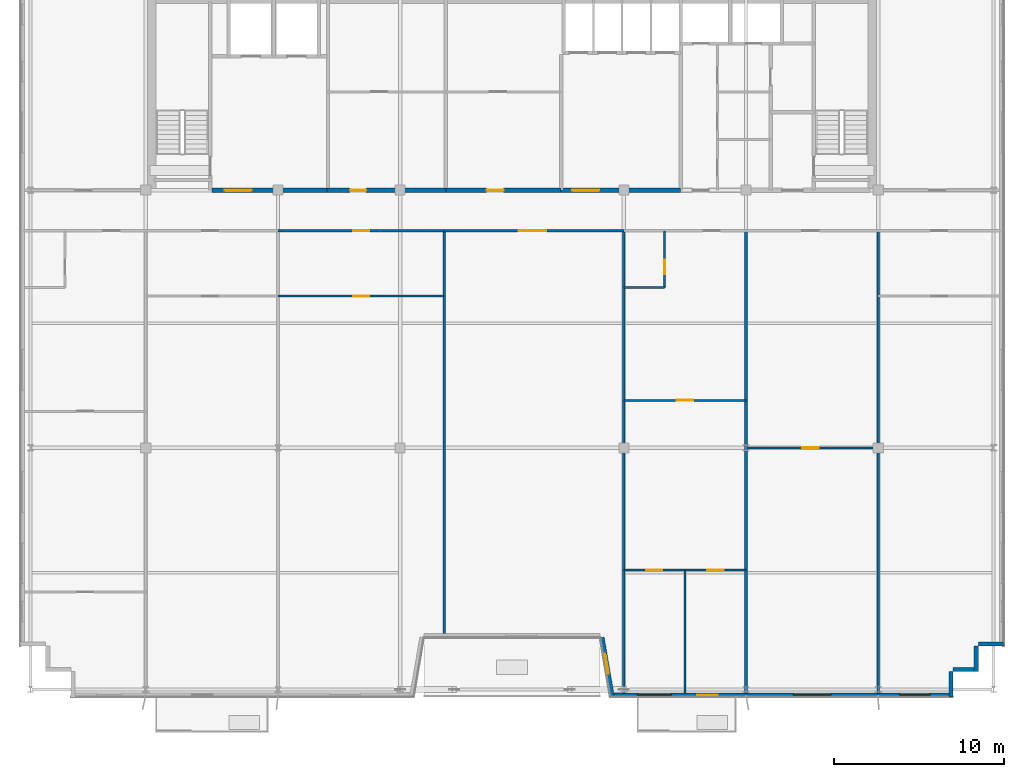
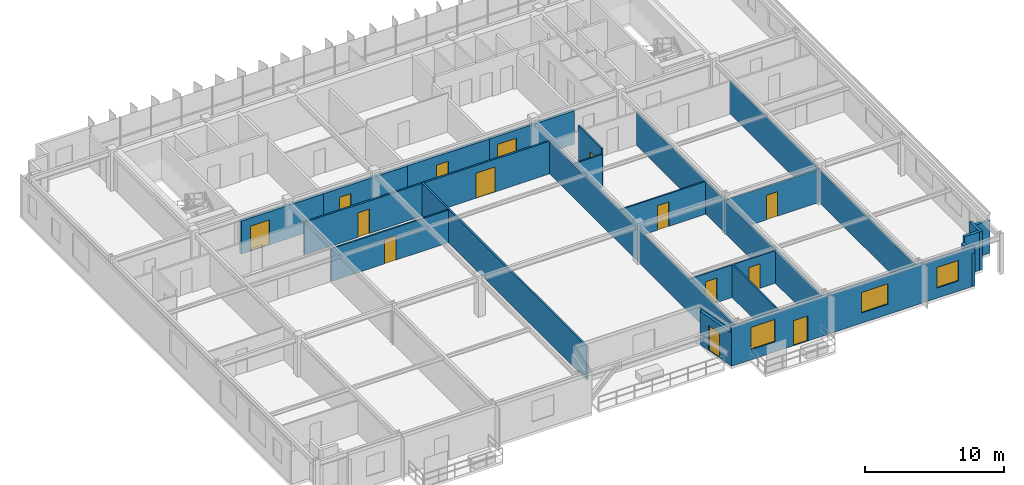
# One storey, part 17 of 22: 24 walls, 14 doors, 3 windows, 17 openings.
"""IFC4 building model written with IfcOpenShell, lengths in metres."""

from ifc_helpers import new_model, si_unit, direction, frame, frame_2d, origin, place, context, subcontext, project, spatial, rectangle, extrude, source, transform, mapped, material, layer, layer_set, type_object, element, fill, save


model = new_model("IFC4")

# Units and contexts
model_context = context("Model", 3, precision=1e-05, world=origin(), true_north=direction((0.0, 1.0)))
body_context = subcontext(model_context, "Body", "Model", "MODEL_VIEW")
ifc_project = project(units=[si_unit("LENGTHUNIT", "METRE"), si_unit("AREAUNIT", "SQUARE_METRE"), si_unit("VOLUMEUNIT", "CUBIC_METRE"), si_unit("PLANEANGLEUNIT", "RADIAN"), si_unit("MASSUNIT", "GRAM", prefix="KILO")], contexts=[model_context])

# Site, building, storey
site_placement = place(None, origin())
site = spatial("IfcSite", under=ifc_project, at=site_placement, CompositionType="ELEMENT")
building_placement = place(site_placement, origin())
building = spatial("IfcBuilding", under=site, at=building_placement, Name="Trelvane Seafront Commons", CompositionType="ELEMENT")
storey_placement = place(building_placement, frame((0.0, 0.0, 288.300048828125)))
storey = spatial("IfcBuildingStorey", under=building, at=storey_placement, Name="L75", CompositionType="ELEMENT", Elevation=288.300048828125)

# Walls
ifc_material_1 = material(Name="Precast concrete C40/50", Category="concrete")
ifc_layer_1 = layer(ifc_material_1, 0.239990234375, Name="ARCH-WALL-EXT240")
ifc_layer_set_1 = layer_set([ifc_layer_1], Name="Precast concrete C40/50")
wall_type_1 = type_object("IfcWallType", Name="ARCH-WALL-EXT240", PredefinedType="SOLIDWALL", material=ifc_layer_set_1)
wall_1_placement = place(storey_placement, frame((66.199951171875, 6.6201171875, 0.0), z_axis=(0.0, 0.0, 1.0), x_axis=(-1.0, 0.0, 0.0)))
element("IfcWall", 1, at=wall_1_placement, inside=storey, type_object=wall_type_1, Name="EW-L75-01523", PredefinedType="SOLIDWALL", context=body_context, shape_type="SweptSolid", body=[
    extrude(rectangle(XDim=1.5, YDim=0.239990234375, at=frame_2d((0.75, 0.0))), origin(), (0.0, 0.0, 1.0), 2.869873046875),
])
for number, where, z_axis, x_axis, name in (
    (2, (64.580078125, 6.5, 0.0), (0.0, 0.0, 1.0), (0.0, -1.0, 0.0), "EW-L75-01524"),
    (3, (64.699951171875, 5.1201171875, 0.0), (0.0, 0.0, 1.0), (-1.0, 0.0, 0.0), "EW-L75-01525"),
):
    element("IfcWall", number, at=place(storey_placement, frame(where, z_axis=z_axis, x_axis=x_axis)), inside=storey, type_object=wall_type_1, Name=name, PredefinedType="SOLIDWALL", context=body_context, shape_type="SweptSolid", body=[
        extrude(rectangle(XDim=1.5, YDim=0.239990234375, at=frame_2d((0.75, 0.0))), origin(), (0.0, 0.0, 1.0), 3.369873046875),
    ])
wall_2_placement = place(storey_placement, frame((63.080078125, 5.0, 0.0), z_axis=(0.0, 0.0, 1.0), x_axis=(0.0, -1.0, 0.0)))
element("IfcWall", 4, at=wall_2_placement, inside=storey, type_object=wall_type_1, Name="EW-L75-01526", PredefinedType="SOLIDWALL", context=body_context, shape_type="SweptSolid", body=[
    extrude(rectangle(XDim=1.5, YDim=0.239990234375, at=frame_2d((0.75, 0.0))), origin(), (0.0, 0.0, 1.0), 2.919921875),
])

# Wall, openings, door, windows
wall_3_placement = place(storey_placement, frame((63.199951171875, 3.6201171875, 0.0), z_axis=(0.0, 0.0, 1.0), x_axis=(-1.0, 0.0, 0.0)))
wall_3 = element("IfcWall", 5, at=wall_3_placement, inside=storey, type_object=wall_type_1, Name="EW-L75-01527", PredefinedType="SOLIDWALL", context=body_context, shape_type="SweptSolid", body=[
    extrude(rectangle(XDim=20.199951171875, YDim=0.239990234375, at=frame_2d((10.10009765625, 0.0))), origin(), (0.0, 0.0, 1.0), 3.369873046875),
])
opening_1_placement = place(wall_3_placement, frame((1.344970703125, 0.0, 0.89990234375)))
opening_1 = element("IfcOpeningElement", 6, at=opening_1_placement, cuts=wall_3, Name="Opening W01", PredefinedType="OPENING", context=body_context, shape_type="SweptSolid", body=[
    extrude(rectangle(XDim=1.800048828125, YDim=1.800048828125, at=frame_2d((0.89990234375, 0.89990234375))), frame((0.0, 0.1298828125, 0.0), z_axis=(0.0, -1.0, 0.0), x_axis=(1.0, 0.0, 0.0)), (0.0, 0.0, 1.0), 0.260009765625),
])
opening_2_placement = place(wall_3_placement, frame((7.199951171875, 0.0, 0.89990234375)))
opening_2 = element("IfcOpeningElement", 7, at=opening_2_placement, cuts=wall_3, Name="Opening W02", PredefinedType="OPENING", context=body_context, shape_type="SweptSolid", body=[
    extrude(rectangle(XDim=2.199951171875, YDim=1.800048828125, at=frame_2d((1.10009765625, 0.89990234375))), frame((0.0, 0.1298828125, 0.0), z_axis=(0.0, -1.0, 0.0), x_axis=(1.0, 0.0, 0.0)), (0.0, 0.0, 1.0), 0.260009765625),
])
opening_3_placement = place(wall_3_placement, frame((13.864013671875, 0.0, 0.0)))
opening_3 = element("IfcOpeningElement", 8, at=opening_3_placement, cuts=wall_3, Name="Opening BD-L75-152", PredefinedType="OPENING", context=body_context, shape_type="SweptSolid", body=[
    extrude(rectangle(XDim=1.199951171875, YDim=2.199951171875, at=frame_2d((0.60009765625, 1.10009765625))), frame((0.0, 0.1298828125, 0.0), z_axis=(0.0, -1.0, 0.0), x_axis=(1.0, 0.0, 0.0)), (0.0, 0.0, 1.0), 0.260009765625),
])
opening_4_placement = place(wall_3_placement, frame((16.60009765625, 0.0, 0.89990234375)))
opening_4 = element("IfcOpeningElement", 9, at=opening_4_placement, cuts=wall_3, Name="Opening W06", PredefinedType="OPENING", context=body_context, shape_type="SweptSolid", body=[
    extrude(rectangle(XDim=2.0, YDim=1.949951171875, at=frame_2d((1.0, 0.97509765625))), frame((0.0, 0.1298828125, 0.0), z_axis=(0.0, -1.0, 0.0), x_axis=(1.0, 0.0, 0.0)), (0.0, 0.0, 1.0), 0.260009765625),
])
ifc_material_2 = material(Name="Powder-coated aluminium frame", Category="aluminium")
door_type_1 = type_object("IfcDoorType", Name="ARCH-DR-BAL1200", OperationType="NOTDEFINED", PredefinedType="DOOR", material=ifc_material_2)
shared_shape_1 = source(origin(), body_context, "Body", "SweptSolid", [
    extrude(rectangle(XDim=1.199951171875, YDim=2.199951171875, at=frame_2d((0.60009765625, 1.10009765625))), frame((0.0, 0.02490234375, 0.0), z_axis=(0.0, -1.0, 0.0), x_axis=(1.0, 0.0, 0.0)), (0.0, 0.0, 1.0), 0.050048828125),
])
door_1_placement = place(opening_3_placement, origin())
door_1 = element("IfcDoor", 10, at=door_1_placement, inside=storey, type_object=door_type_1, Name="L75 Balcony Terrace Access Door", OperationType="SINGLE_SWING_LEFT", OverallHeight=2.199951171875, OverallWidth=1.199951171875, PredefinedType="DOOR", context=body_context, shape_type="MappedRepresentation", body=[
    mapped(shared_shape_1, transform((0.0, 0.0, 0.0), x_axis=(1.0, 0.0, 0.0), y_axis=(0.0, 1.0, 0.0), z_axis=(0.0, 0.0, 1.0), scale=1.0)),
])
fill(opening_3, door_1)
ifc_material_3 = material(Name="Low-E coastal double glazing", Category="glass")
window_type_1 = type_object("IfcWindowType", Name="ARCH-WIN-W02", PartitioningType="SINGLE_PANEL", PredefinedType="WINDOW", material=ifc_material_3)
shared_shape_2 = source(origin(), body_context, "Body", "SweptSolid", [
    extrude(rectangle(XDim=2.199951171875, YDim=1.800048828125, at=frame_2d((1.10009765625, 0.89990234375))), frame((0.0, 0.030029296875, 0.0), z_axis=(0.0, -1.0, 0.0), x_axis=(1.0, 0.0, 0.0)), (0.0, 0.0, 1.0), 0.06005859375),
])
window_1_placement = place(opening_2_placement, origin())
window_1 = element("IfcWindow", 11, at=window_1_placement, inside=storey, type_object=window_type_1, Name="WIN-L75-01812", OverallHeight=1.800048828125, OverallWidth=2.199951171875, PartitioningType="SINGLE_PANEL", PredefinedType="WINDOW", context=body_context, shape_type="MappedRepresentation", body=[
    mapped(shared_shape_2, transform((0.0, 0.0, 0.0), x_axis=(1.0, 0.0, 0.0), y_axis=(0.0, 1.0, 0.0), z_axis=(0.0, 0.0, 1.0), scale=1.0)),
])
fill(opening_2, window_1)
window_type_2 = type_object("IfcWindowType", Name="ARCH-WIN-W06", PartitioningType="SINGLE_PANEL", PredefinedType="WINDOW", material=ifc_material_3)
shared_shape_3 = source(origin(), body_context, "Body", "SweptSolid", [
    extrude(rectangle(XDim=2.0, YDim=1.949951171875, at=frame_2d((1.0, 0.97509765625))), frame((0.0, 0.030029296875, 0.0), z_axis=(0.0, -1.0, 0.0), x_axis=(1.0, 0.0, 0.0)), (0.0, 0.0, 1.0), 0.06005859375),
])
window_2_placement = place(opening_4_placement, origin())
window_2 = element("IfcWindow", 12, at=window_2_placement, inside=storey, type_object=window_type_2, Name="WIN-L75-01813", OverallHeight=1.949951171875, OverallWidth=2.0, PartitioningType="SINGLE_PANEL", PredefinedType="WINDOW", context=body_context, shape_type="MappedRepresentation", body=[
    mapped(shared_shape_3, transform((0.0, 0.0, 0.0), x_axis=(1.0, 0.0, 0.0), y_axis=(0.0, 1.0, 0.0), z_axis=(0.0, 0.0, 1.0), scale=1.0)),
])
fill(opening_4, window_2)
window_type_3 = type_object("IfcWindowType", Name="ARCH-WIN-W01", PartitioningType="SINGLE_PANEL", PredefinedType="WINDOW", material=ifc_material_3)
shared_shape_4 = source(origin(), body_context, "Body", "SweptSolid", [
    extrude(rectangle(XDim=1.800048828125, YDim=1.800048828125, at=frame_2d((0.89990234375, 0.89990234375))), frame((0.0, 0.030029296875, 0.0), z_axis=(0.0, -1.0, 0.0), x_axis=(1.0, 0.0, 0.0)), (0.0, 0.0, 1.0), 0.06005859375),
])
window_3_placement = place(opening_1_placement, origin())
window_3 = element("IfcWindow", 13, at=window_3_placement, inside=storey, type_object=window_type_3, Name="WIN-L75-01811", OverallHeight=1.800048828125, OverallWidth=1.800048828125, PartitioningType="SINGLE_PANEL", PredefinedType="WINDOW", context=body_context, shape_type="MappedRepresentation", body=[
    mapped(shared_shape_4, transform((0.0, 0.0, 0.0), x_axis=(1.0, 0.0, 0.0), y_axis=(0.0, 1.0, 0.0), z_axis=(0.0, 0.0, 1.0), scale=1.0)),
])
fill(opening_1, window_3)

# Wall, opening, door
wall_4_placement = place(storey_placement, frame((43.118408203125, 3.520263671875, 0.0), z_axis=(0.0, 0.0, 1.0), x_axis=(-0.168990530437, 0.98561767467, 0.0)))
wall_4 = element("IfcWall", 14, at=wall_4_placement, inside=storey, type_object=wall_type_1, Name="EW-L75-01528", PredefinedType="SOLIDWALL", context=body_context, shape_type="SweptSolid", body=[
    extrude(rectangle(XDim=3.551025390625, YDim=0.239990234375, at=frame_2d((1.775390625, 0.0))), origin(), (0.0, 0.0, 1.0), 2.919921875),
])
opening_5_placement = place(wall_4_placement, frame((1.3740234375, 0.0, 0.0)))
opening_5 = element("IfcOpeningElement", 15, at=opening_5_placement, cuts=wall_4, Name="Opening TD-L75-153", PredefinedType="OPENING", context=body_context, shape_type="SweptSolid", body=[
    extrude(rectangle(XDim=1.199951171875, YDim=2.199951171875, at=frame_2d((0.60009765625, 1.10009765625))), frame((0.0, 0.1298828125, 0.0), z_axis=(0.0, -1.0, 0.0), x_axis=(1.0, 0.0, 0.0)), (0.0, 0.0, 1.0), 0.260009765625),
])
door_2_placement = place(opening_5_placement, origin())
door_2 = element("IfcDoor", 16, at=door_2_placement, inside=storey, type_object=door_type_1, Name="L75 Setback Terrace Access Door", OperationType="SINGLE_SWING_RIGHT", OverallHeight=2.199951171875, OverallWidth=1.199951171875, PredefinedType="DOOR", context=body_context, shape_type="MappedRepresentation", body=[
    mapped(shared_shape_1, transform((0.0, 0.0, 0.0), x_axis=(1.0, 0.0, 0.0), y_axis=(0.0, 1.0, 0.0), z_axis=(0.0, 0.0, 1.0), scale=1.0)),
])
fill(opening_5, door_2)

ifc_material_4 = material(Name="Concrete C40/50", Category="concrete")
ifc_layer_2 = layer(ifc_material_4, 0.25, Name="ARCH-WALL-FIRE250")
ifc_layer_set_2 = layer_set([ifc_layer_2], Name="Concrete C40/50")
wall_type_2 = type_object("IfcWallType", Name="ARCH-WALL-FIRE250", PredefinedType="PARTITIONING", material=ifc_layer_set_2)
wall_5_placement = place(storey_placement, frame((19.5, 33.39990234375, 0.0), z_axis=(0.0, 0.0, 1.0), x_axis=(1.0, 0.0, 0.0)))
wall_5 = element("IfcWall", 17, at=wall_5_placement, inside=storey, type_object=wall_type_2, Name="W-L75-CS-FFL-013", PredefinedType="PARTITIONING", context=body_context, shape_type="SweptSolid", body=[
    extrude(rectangle(XDim=6.800048828125, YDim=0.25, at=frame_2d((3.39990234375, 0.0))), origin(), (0.0, 0.0, 1.0), 2.919921875),
])
opening_6_placement = place(wall_5_placement, frame((0.75, 0.0, 0.0)))
opening_6 = element("IfcOpeningElement", 18, at=opening_6_placement, cuts=wall_5, Name="Opening FD-L75-05", PredefinedType="OPENING", context=body_context, shape_type="SweptSolid", body=[
    extrude(rectangle(XDim=1.60009765625, YDim=2.199951171875, at=frame_2d((0.800048828125, 1.10009765625))), frame((0.0, 0.135009765625, 0.0), z_axis=(0.0, -1.0, 0.0), x_axis=(1.0, 0.0, 0.0)), (0.0, 0.0, 1.0), 0.27001953125),
])
door_type_2 = type_object("IfcDoorType", Name="ARCH-DR-FD60-1600", OperationType="DOUBLE_DOOR_SINGLE_SWING", PredefinedType="DOOR", material=ifc_material_2)
shared_shape_5 = source(origin(), body_context, "Body", "SweptSolid", [
    extrude(rectangle(XDim=1.60009765625, YDim=2.199951171875, at=frame_2d((0.800048828125, 1.10009765625))), frame((0.0, 0.02490234375, 0.0), z_axis=(0.0, -1.0, 0.0), x_axis=(1.0, 0.0, 0.0)), (0.0, 0.0, 1.0), 0.050048828125),
])
door_3_placement = place(opening_6_placement, origin())
door_3 = element("IfcDoor", 19, at=door_3_placement, inside=storey, type_object=door_type_2, Name="L75 Firefighting Lift Lobby Double Fire Door", OperationType="DOUBLE_DOOR_SINGLE_SWING", OverallHeight=2.199951171875, OverallWidth=1.60009765625, PredefinedType="DOOR", context=body_context, shape_type="MappedRepresentation", body=[
    mapped(shared_shape_5, transform((0.0, 0.0, 0.0), x_axis=(1.0, 0.0, 0.0), y_axis=(0.0, 1.0, 0.0), z_axis=(0.0, 0.0, 1.0), scale=1.0)),
])
fill(opening_6, door_3)

wall_6_placement = place(storey_placement, frame((26.300048828125, 33.39990234375, 0.0), z_axis=(0.0, 0.0, 1.0), x_axis=(1.0, 0.0, 0.0)))
wall_6 = element("IfcWall", 20, at=wall_6_placement, inside=storey, type_object=wall_type_2, Name="W-L75-CS-FPL-024", PredefinedType="PARTITIONING", context=body_context, shape_type="SweptSolid", body=[
    extrude(rectangle(XDim=7.0, YDim=0.25, at=frame_2d((3.5, 0.0))), origin(), (0.0, 0.0, 1.0), 2.919921875),
])
opening_7_placement = place(wall_6_placement, frame((1.35009765625, 0.0, 0.0)))
opening_7 = element("IfcOpeningElement", 21, at=opening_7_placement, cuts=wall_6, Name="Opening D-L75-12", PredefinedType="OPENING", context=body_context, shape_type="SweptSolid", body=[
    extrude(rectangle(XDim=0.949951171875, YDim=2.14990234375, at=frame_2d((0.47509765625, 1.074951171875))), frame((0.0, 0.135009765625, 0.0), z_axis=(0.0, -1.0, 0.0), x_axis=(1.0, 0.0, 0.0)), (0.0, 0.0, 1.0), 0.27001953125),
])
ifc_material_5 = material(Name="Acoustic timber door leaf", Category="wood")
door_type_3 = type_object("IfcDoorType", Name="ARCH-DR-INT950", OperationType="NOTDEFINED", PredefinedType="DOOR", material=ifc_material_5)
shared_shape_6 = source(origin(), body_context, "Body", "SweptSolid", [
    extrude(rectangle(XDim=0.949951171875, YDim=2.14990234375, at=frame_2d((0.47509765625, 1.074951171875))), frame((0.0, 0.02490234375, 0.0), z_axis=(0.0, -1.0, 0.0), x_axis=(1.0, 0.0, 0.0)), (0.0, 0.0, 1.0), 0.050048828125),
])
door_4_placement = place(opening_7_placement, origin())
door_4 = element("IfcDoor", 22, at=door_4_placement, inside=storey, type_object=door_type_3, Name="L75 Floor Pantry Entrance Door", OperationType="SINGLE_SWING_RIGHT", OverallHeight=2.14990234375, OverallWidth=0.949951171875, PredefinedType="DOOR", context=body_context, shape_type="MappedRepresentation", body=[
    mapped(shared_shape_6, transform((0.0, 0.0, 0.0), x_axis=(1.0, 0.0, 0.0), y_axis=(0.0, 1.0, 0.0), z_axis=(0.0, 0.0, 1.0), scale=1.0)),
])
fill(opening_7, door_4)

wall_7_placement = place(storey_placement, frame((33.300048828125, 33.39990234375, 0.0), z_axis=(0.0, 0.0, 1.0), x_axis=(1.0, 0.0, 0.0)))
wall_7 = element("IfcWall", 23, at=wall_7_placement, inside=storey, type_object=wall_type_2, Name="W-L75-CS-FPM-025", PredefinedType="PARTITIONING", context=body_context, shape_type="SweptSolid", body=[
    extrude(rectangle(XDim=6.800048828125, YDim=0.25, at=frame_2d((3.39990234375, 0.0))), origin(), (0.0, 0.0, 1.0), 2.919921875),
])
opening_8_placement = place(wall_7_placement, frame((2.39990234375, 0.0, 0.0)))
opening_8 = element("IfcOpeningElement", 24, at=opening_8_placement, cuts=wall_7, Name="Opening FD-L75-13", PredefinedType="OPENING", context=body_context, shape_type="SweptSolid", body=[
    extrude(rectangle(XDim=1.0, YDim=2.14990234375, at=frame_2d((0.5, 1.074951171875))), frame((0.0, 0.135009765625, 0.0), z_axis=(0.0, -1.0, 0.0), x_axis=(1.0, 0.0, 0.0)), (0.0, 0.0, 1.0), 0.27001953125),
])
door_type_4 = type_object("IfcDoorType", Name="ARCH-DR-FD60-1000", OperationType="NOTDEFINED", PredefinedType="DOOR", material=ifc_material_2)
shared_shape_7 = source(origin(), body_context, "Body", "SweptSolid", [
    extrude(rectangle(XDim=1.0, YDim=2.14990234375, at=frame_2d((0.5, 1.074951171875))), frame((0.0, 0.02490234375, 0.0), z_axis=(0.0, -1.0, 0.0), x_axis=(1.0, 0.0, 0.0)), (0.0, 0.0, 1.0), 0.050048828125),
])
door_5_placement = place(opening_8_placement, origin())
door_5 = element("IfcDoor", 25, at=door_5_placement, inside=storey, type_object=door_type_4, Name="L75 Trunk Storage Door", OperationType="SINGLE_SWING_LEFT", OverallHeight=2.14990234375, OverallWidth=1.0, PredefinedType="DOOR", context=body_context, shape_type="MappedRepresentation", body=[
    mapped(shared_shape_7, transform((0.0, 0.0, 0.0), x_axis=(1.0, 0.0, 0.0), y_axis=(0.0, 1.0, 0.0), z_axis=(0.0, 0.0, 1.0), scale=1.0)),
])
fill(opening_8, door_5)

wall_8_placement = place(storey_placement, frame((40.10009765625, 33.39990234375, 0.0), z_axis=(0.0, 0.0, 1.0), x_axis=(1.0, 0.0, 0.0)))
wall_8 = element("IfcWall", 26, at=wall_8_placement, inside=storey, type_object=wall_type_2, Name="W-L75-CS-PAX-026", PredefinedType="PARTITIONING", context=body_context, shape_type="SweptSolid", body=[
    extrude(rectangle(XDim=7.0498046875, YDim=0.25, at=frame_2d((3.52490234375, 0.0))), origin(), (0.0, 0.0, 1.0), 2.919921875),
])
opening_9_placement = place(wall_8_placement, frame((0.64990234375, 0.0, 0.0)))
opening_9 = element("IfcOpeningElement", 27, at=opening_9_placement, cuts=wall_8, Name="Opening FD-L75-14", PredefinedType="OPENING", context=body_context, shape_type="SweptSolid", body=[
    extrude(rectangle(XDim=1.60009765625, YDim=2.199951171875, at=frame_2d((0.800048828125, 1.10009765625))), frame((0.0, 0.135009765625, 0.0), z_axis=(0.0, -1.0, 0.0), x_axis=(1.0, 0.0, 0.0)), (0.0, 0.0, 1.0), 0.27001953125),
])
door_6_placement = place(opening_9_placement, origin())
door_6 = element("IfcDoor", 28, at=door_6_placement, inside=storey, type_object=door_type_2, Name="L75 High-Rise Lift Lobby Double Door", OperationType="DOUBLE_DOOR_SINGLE_SWING", OverallHeight=2.199951171875, OverallWidth=1.60009765625, PredefinedType="DOOR", context=body_context, shape_type="MappedRepresentation", body=[
    mapped(shared_shape_5, transform((0.0, 0.0, 0.0), x_axis=(1.0, 0.0, 0.0), y_axis=(0.0, 1.0, 0.0), z_axis=(0.0, 0.0, 1.0), scale=1.0)),
])
fill(opening_9, door_6)

ifc_material_6 = material(Name="Gypsum Drywall Acoustic Partition")
ifc_layer_3 = layer(ifc_material_6, 0.1201171875, Name="ARCH-WALL-PART120")
ifc_layer_set_3 = layer_set([ifc_layer_3], Name="Gypsum Drywall Acoustic Partition")
wall_type_3 = type_object("IfcWallType", Name="ARCH-WALL-PART120", PredefinedType="PARTITIONING", material=ifc_layer_set_3)
wall_9_placement = place(storey_placement, frame((23.39990234375, 27.14990234375, 0.0), z_axis=(0.0, 0.0, 1.0), x_axis=(1.0, 0.0, 0.0)))
wall_9 = element("IfcWall", 29, at=wall_9_placement, inside=storey, type_object=wall_type_3, Name="W-L75-U3-DIV-055", PredefinedType="PARTITIONING", context=body_context, shape_type="SweptSolid", body=[
    extrude(rectangle(XDim=9.800048828125, YDim=0.1201171875, at=frame_2d((4.89990234375, 0.0))), origin(), (0.0, 0.0, 1.0), 2.869873046875),
])
opening_10_placement = place(wall_9_placement, frame((4.425048828125, 0.0, 0.0)))
opening_10 = element("IfcOpeningElement", 30, at=opening_10_placement, cuts=wall_9, Name="Opening D-L75-35", PredefinedType="OPENING", context=body_context, shape_type="SweptSolid", body=[
    extrude(rectangle(XDim=0.949951171875, YDim=2.14990234375, at=frame_2d((0.47509765625, 1.074951171875))), frame((0.0, 0.070068359375, 0.0), z_axis=(0.0, -1.0, 0.0), x_axis=(1.0, 0.0, 0.0)), (0.0, 0.0, 1.0), 0.14013671875),
])
door_7_placement = place(opening_10_placement, origin())
door_7 = element("IfcDoor", 31, at=door_7_placement, inside=storey, type_object=door_type_3, Name="L75 Door 35", OperationType="SINGLE_SWING_LEFT", OverallHeight=2.14990234375, OverallWidth=0.949951171875, PredefinedType="DOOR", context=body_context, shape_type="MappedRepresentation", body=[
    mapped(shared_shape_6, transform((0.0, 0.0, 0.0), x_axis=(1.0, 0.0, 0.0), y_axis=(0.0, 1.0, 0.0), z_axis=(0.0, 0.0, 1.0), scale=1.0)),
])
fill(opening_10, door_7)

wall_10_placement = place(storey_placement, frame((43.800048828125, 21.0, 0.0), z_axis=(0.0, 0.0, 1.0), x_axis=(1.0, 0.0, 0.0)))
wall_10 = element("IfcWall", 32, at=wall_10_placement, inside=storey, type_object=wall_type_3, Name="W-L75-U5-KL-057", PredefinedType="PARTITIONING", context=body_context, shape_type="SweptSolid", body=[
    extrude(rectangle(XDim=7.199951171875, YDim=0.1201171875, at=frame_2d((3.60009765625, 0.0))), origin(), (0.0, 0.0, 1.0), 2.869873046875),
])
opening_11_placement = place(wall_10_placement, frame((3.125, 0.0, 0.0)))
opening_11 = element("IfcOpeningElement", 33, at=opening_11_placement, cuts=wall_10, Name="Opening D-L75-37", PredefinedType="OPENING", context=body_context, shape_type="SweptSolid", body=[
    extrude(rectangle(XDim=0.949951171875, YDim=2.14990234375, at=frame_2d((0.47509765625, 1.074951171875))), frame((0.0, 0.070068359375, 0.0), z_axis=(0.0, -1.0, 0.0), x_axis=(1.0, 0.0, 0.0)), (0.0, 0.0, 1.0), 0.14013671875),
])
door_8_placement = place(opening_11_placement, origin())
door_8 = element("IfcDoor", 34, at=door_8_placement, inside=storey, type_object=door_type_3, Name="L75 Door 37", OperationType="SINGLE_SWING_LEFT", OverallHeight=2.14990234375, OverallWidth=0.949951171875, PredefinedType="DOOR", context=body_context, shape_type="MappedRepresentation", body=[
    mapped(shared_shape_6, transform((0.0, 0.0, 0.0), x_axis=(1.0, 0.0, 0.0), y_axis=(0.0, 1.0, 0.0), z_axis=(0.0, 0.0, 1.0), scale=1.0)),
])
fill(opening_11, door_8)

wall_11_placement = place(storey_placement, frame((46.199951171875, 27.64990234375, 0.0), z_axis=(0.0, 0.0, 1.0), x_axis=(0.0, 1.0, 0.0)))
wall_11 = element("IfcWall", 35, at=wall_11_placement, inside=storey, type_object=wall_type_3, Name="W-L75-U5-BE-058", PredefinedType="PARTITIONING", context=body_context, shape_type="SweptSolid", body=[
    extrude(rectangle(XDim=3.35009765625, YDim=0.1201171875, at=frame_2d((1.675048828125, 0.0))), origin(), (0.0, 0.0, 1.0), 3.369873046875),
])
opening_12_placement = place(wall_11_placement, frame((0.800048828125, 0.0, 0.0)))
opening_12 = element("IfcOpeningElement", 36, at=opening_12_placement, cuts=wall_11, Name="Opening D-L75-38", PredefinedType="OPENING", context=body_context, shape_type="SweptSolid", body=[
    extrude(rectangle(XDim=0.85009765625, YDim=2.10009765625, at=frame_2d((0.425048828125, 1.050048828125))), frame((0.0, 0.070068359375, 0.0), z_axis=(0.0, -1.0, 0.0), x_axis=(1.0, 0.0, 0.0)), (0.0, 0.0, 1.0), 0.14013671875),
])
door_type_5 = type_object("IfcDoorType", Name="ARCH-DR-INT850", OperationType="NOTDEFINED", PredefinedType="DOOR", material=ifc_material_5)
shared_shape_8 = source(origin(), body_context, "Body", "SweptSolid", [
    extrude(rectangle(XDim=0.85009765625, YDim=2.10009765625, at=frame_2d((0.425048828125, 1.050048828125))), frame((0.0, 0.02490234375, 0.0), z_axis=(0.0, -1.0, 0.0), x_axis=(1.0, 0.0, 0.0)), (0.0, 0.0, 1.0), 0.050048828125),
])
door_9_placement = place(opening_12_placement, origin())
door_9 = element("IfcDoor", 37, at=door_9_placement, inside=storey, type_object=door_type_5, Name="L75 Door 38", OperationType="SINGLE_SWING_RIGHT", OverallHeight=2.10009765625, OverallWidth=0.85009765625, PredefinedType="DOOR", context=body_context, shape_type="MappedRepresentation", body=[
    mapped(shared_shape_8, transform((0.0, 0.0, 0.0), x_axis=(1.0, 0.0, 0.0), y_axis=(0.0, 1.0, 0.0), z_axis=(0.0, 0.0, 1.0), scale=1.0)),
])
fill(opening_12, door_9)

# Wall
wall_12_placement = place(storey_placement, frame((43.800048828125, 27.64990234375, 0.0), z_axis=(0.0, 0.0, 1.0), x_axis=(1.0, 0.0, 0.0)))
element("IfcWall", 38, at=wall_12_placement, inside=storey, type_object=wall_type_3, Name="W-L75-U5-BS-059", PredefinedType="PARTITIONING", context=body_context, shape_type="SweptSolid", body=[
    extrude(rectangle(XDim=2.39990234375, YDim=0.1201171875, at=frame_2d((1.199951171875, 0.0))), origin(), (0.0, 0.0, 1.0), 2.869873046875),
])

# Wall, opening, door
wall_13_placement = place(storey_placement, frame((43.800048828125, 11.0, 0.0), z_axis=(0.0, 0.0, 1.0), x_axis=(1.0, 0.0, 0.0)))
wall_13 = element("IfcWall", 39, at=wall_13_placement, inside=storey, type_object=wall_type_3, Name="W-L75-U5-YM-1-061", PredefinedType="PARTITIONING", context=body_context, shape_type="SweptSolid", body=[
    extrude(rectangle(XDim=3.599853515625, YDim=0.1201171875, at=frame_2d((1.7998046875, 0.0))), origin(), (0.0, 0.0, 1.0), 2.869873046875),
])
opening_13_placement = place(wall_13_placement, frame((1.324951171875, 0.0, 0.0)))
opening_13 = element("IfcOpeningElement", 40, at=opening_13_placement, cuts=wall_13, Name="Opening D-L75-40", PredefinedType="OPENING", context=body_context, shape_type="SweptSolid", body=[
    extrude(rectangle(XDim=0.949951171875, YDim=2.14990234375, at=frame_2d((0.47509765625, 1.074951171875))), frame((0.0, 0.070068359375, 0.0), z_axis=(0.0, -1.0, 0.0), x_axis=(1.0, 0.0, 0.0)), (0.0, 0.0, 1.0), 0.14013671875),
])
door_10_placement = place(opening_13_placement, origin())
door_10 = element("IfcDoor", 41, at=door_10_placement, inside=storey, type_object=door_type_3, Name="L75 Door 40", OperationType="SINGLE_SWING_RIGHT", OverallHeight=2.14990234375, OverallWidth=0.949951171875, PredefinedType="DOOR", context=body_context, shape_type="MappedRepresentation", body=[
    mapped(shared_shape_6, transform((0.0, 0.0, 0.0), x_axis=(1.0, 0.0, 0.0), y_axis=(0.0, 1.0, 0.0), z_axis=(0.0, 0.0, 1.0), scale=1.0)),
])
fill(opening_13, door_10)

wall_14_placement = place(storey_placement, frame((47.39990234375, 11.0, 0.0), z_axis=(0.0, 0.0, 1.0), x_axis=(1.0, 0.0, 0.0)))
wall_14 = element("IfcWall", 42, at=wall_14_placement, inside=storey, type_object=wall_type_3, Name="W-L75-U5-YM-2-062", PredefinedType="PARTITIONING", context=body_context, shape_type="SweptSolid", body=[
    extrude(rectangle(XDim=3.60009765625, YDim=0.1201171875, at=frame_2d((1.800048828125, 0.0))), origin(), (0.0, 0.0, 1.0), 2.869873046875),
])
opening_14_placement = place(wall_14_placement, frame((1.324951171875, 0.0, 0.0)))
opening_14 = element("IfcOpeningElement", 43, at=opening_14_placement, cuts=wall_14, Name="Opening D-L75-41", PredefinedType="OPENING", context=body_context, shape_type="SweptSolid", body=[
    extrude(rectangle(XDim=0.949951171875, YDim=2.14990234375, at=frame_2d((0.47509765625, 1.074951171875))), frame((0.0, 0.070068359375, 0.0), z_axis=(0.0, -1.0, 0.0), x_axis=(1.0, 0.0, 0.0)), (0.0, 0.0, 1.0), 0.14013671875),
])
door_11_placement = place(opening_14_placement, origin())
door_11 = element("IfcDoor", 44, at=door_11_placement, inside=storey, type_object=door_type_3, Name="L75 Door 41", OperationType="SINGLE_SWING_LEFT", OverallHeight=2.14990234375, OverallWidth=0.949951171875, PredefinedType="DOOR", context=body_context, shape_type="MappedRepresentation", body=[
    mapped(shared_shape_6, transform((0.0, 0.0, 0.0), x_axis=(1.0, 0.0, 0.0), y_axis=(0.0, 1.0, 0.0), z_axis=(0.0, 0.0, 1.0), scale=1.0)),
])
fill(opening_14, door_11)

# Wall
wall_15_placement = place(storey_placement, frame((47.39990234375, 3.72509765625, 0.0), z_axis=(0.0, 0.0, 1.0), x_axis=(0.0, 1.0, 0.0)))
element("IfcWall", 45, at=wall_15_placement, inside=storey, type_object=wall_type_3, Name="W-L75-U5-BDV-1-063", PredefinedType="PARTITIONING", context=body_context, shape_type="SweptSolid", body=[
    extrude(rectangle(XDim=7.27490234375, YDim=0.1201171875, at=frame_2d((3.637451171875, 0.0))), origin(), (0.0, 0.0, 1.0), 2.919921875),
])

# Wall, opening, door
wall_16_placement = place(storey_placement, frame((51.0, 18.199951171875, 0.0), z_axis=(0.0, 0.0, 1.0), x_axis=(1.0, 0.0, 0.0)))
wall_16 = element("IfcWall", 46, at=wall_16_placement, inside=storey, type_object=wall_type_3, Name="W-L75-U6-DIV-065", PredefinedType="PARTITIONING", context=body_context, shape_type="SweptSolid", body=[
    extrude(rectangle(XDim=7.800048828125, YDim=0.1201171875, at=frame_2d((3.89990234375, 0.0))), origin(), (0.0, 0.0, 1.0), 2.919921875),
])
opening_15_placement = place(wall_16_placement, frame((3.3330078125, 0.0, 0.0)))
opening_15 = element("IfcOpeningElement", 47, at=opening_15_placement, cuts=wall_16, Name="Opening D-L75-43", PredefinedType="OPENING", context=body_context, shape_type="SweptSolid", body=[
    extrude(rectangle(XDim=0.949951171875, YDim=2.14990234375, at=frame_2d((0.47509765625, 1.074951171875))), frame((0.0, 0.070068359375, 0.0), z_axis=(0.0, -1.0, 0.0), x_axis=(1.0, 0.0, 0.0)), (0.0, 0.0, 1.0), 0.14013671875),
])
door_12_placement = place(opening_15_placement, origin())
door_12 = element("IfcDoor", 48, at=door_12_placement, inside=storey, type_object=door_type_3, Name="L75 Door 43", OperationType="SINGLE_SWING_LEFT", OverallHeight=2.14990234375, OverallWidth=0.949951171875, PredefinedType="DOOR", context=body_context, shape_type="MappedRepresentation", body=[
    mapped(shared_shape_6, transform((0.0, 0.0, 0.0), x_axis=(1.0, 0.0, 0.0), y_axis=(0.0, 1.0, 0.0), z_axis=(0.0, 0.0, 1.0), scale=1.0)),
])
fill(opening_15, door_12)

# Walls
ifc_layer_4 = layer(ifc_material_6, 0.14990234375, Name="ARCH-WALL-PART150")
ifc_layer_set_4 = layer_set([ifc_layer_4], Name="Gypsum Drywall Acoustic Partition")
wall_type_4 = type_object("IfcWallType", Name="ARCH-WALL-PART150", PredefinedType="PARTITIONING", material=ifc_layer_set_4)
wall_17_placement = place(storey_placement, frame((33.199951171875, 7.22509765625, 0.0), z_axis=(0.0, 0.0, 1.0), x_axis=(0.0, 1.0, 0.0)))
element("IfcWall", 49, at=wall_17_placement, inside=storey, type_object=wall_type_4, Name="W-L75-PW-3-043", PredefinedType="PARTITIONING", context=body_context, shape_type="SweptSolid", body=[
    extrude(rectangle(XDim=23.77490234375, YDim=0.14990234375, at=frame_2d((11.887451171875, 0.0))), origin(), (0.0, 0.0, 1.0), 2.919921875),
])
for number, where, z_axis, x_axis, name in (
    (50, (43.800048828125, 3.72509765625, 0.0), (0.0, 0.0, 1.0), (0.0, 1.0, 0.0), "W-L75-PW-4-044"),
    (51, (51.0, 3.72509765625, 0.0), (0.0, 0.0, 1.0), (0.0, 1.0, 0.0), "W-L75-PW-5-045"),
    (52, (58.800048828125, 3.72509765625, 0.0), (0.0, 0.0, 1.0), (0.0, 1.0, 0.0), "W-L75-PW-6-046"),
):
    element("IfcWall", number, at=place(storey_placement, frame(where, z_axis=z_axis, x_axis=x_axis)), inside=storey, type_object=wall_type_4, Name=name, PredefinedType="PARTITIONING", context=body_context, shape_type="SweptSolid", body=[
        extrude(rectangle(XDim=27.27490234375, YDim=0.14990234375, at=frame_2d((13.637451171875, 0.0))), origin(), (0.0, 0.0, 1.0), 2.869873046875),
    ])

# Wall, opening, door
wall_18_placement = place(storey_placement, frame((23.39990234375, 31.0, 0.0), z_axis=(0.0, 0.0, 1.0), x_axis=(1.0, 0.0, 0.0)))
wall_18 = element("IfcWall", 53, at=wall_18_placement, inside=storey, type_object=wall_type_4, Name="W-L75-CS-BAY-3-054", PredefinedType="PARTITIONING", context=body_context, shape_type="SweptSolid", body=[
    extrude(rectangle(XDim=9.800048828125, YDim=0.14990234375, at=frame_2d((4.89990234375, 0.0))), origin(), (0.0, 0.0, 1.0), 2.869873046875),
])
opening_16_placement = place(wall_18_placement, frame((4.425048828125, 0.0, 0.0)))
opening_16 = element("IfcOpeningElement", 54, at=opening_16_placement, cuts=wall_18, Name="Opening FD-L75-34", PredefinedType="OPENING", context=body_context, shape_type="SweptSolid", body=[
    extrude(rectangle(XDim=0.949951171875, YDim=2.14990234375, at=frame_2d((0.47509765625, 1.074951171875))), frame((0.0, 0.0849609375, 0.0), z_axis=(0.0, -1.0, 0.0), x_axis=(1.0, 0.0, 0.0)), (0.0, 0.0, 1.0), 0.169921875),
])
door_type_6 = type_object("IfcDoorType", Name="ARCH-DR-FD60-950", OperationType="NOTDEFINED", PredefinedType="DOOR", material=ifc_material_2)
door_13_placement = place(opening_16_placement, origin())
door_13 = element("IfcDoor", 55, at=door_13_placement, inside=storey, type_object=door_type_6, Name="L75 Bay 03 Entrance Door", OperationType="SINGLE_SWING_RIGHT", OverallHeight=2.14990234375, OverallWidth=0.949951171875, PredefinedType="DOOR", context=body_context, shape_type="MappedRepresentation", body=[
    mapped(shared_shape_6, transform((0.0, 0.0, 0.0), x_axis=(1.0, 0.0, 0.0), y_axis=(0.0, 1.0, 0.0), z_axis=(0.0, 0.0, 1.0), scale=1.0)),
])
fill(opening_16, door_13)

wall_19_placement = place(storey_placement, frame((33.199951171875, 31.0, 0.0), z_axis=(0.0, 0.0, 1.0), x_axis=(1.0, 0.0, 0.0)))
wall_19 = element("IfcWall", 56, at=wall_19_placement, inside=storey, type_object=wall_type_4, Name="W-L75-CS-BAY-4-056", PredefinedType="PARTITIONING", context=body_context, shape_type="SweptSolid", body=[
    extrude(rectangle(XDim=10.60009765625, YDim=0.14990234375, at=frame_2d((5.300048828125, 0.0))), origin(), (0.0, 0.0, 1.0), 2.869873046875),
])
opening_17_placement = place(wall_19_placement, frame((4.407958984375, 0.0, 0.0)))
opening_17 = element("IfcOpeningElement", 57, at=opening_17_placement, cuts=wall_19, Name="Opening D-L75-36", PredefinedType="OPENING", context=body_context, shape_type="SweptSolid", body=[
    extrude(rectangle(XDim=1.60009765625, YDim=2.199951171875, at=frame_2d((0.800048828125, 1.10009765625))), frame((0.0, 0.0849609375, 0.0), z_axis=(0.0, -1.0, 0.0), x_axis=(1.0, 0.0, 0.0)), (0.0, 0.0, 1.0), 0.169921875),
])
door_type_7 = type_object("IfcDoorType", Name="ARCH-DR-GLZ1600", OperationType="DOUBLE_DOOR_SINGLE_SWING", PredefinedType="DOOR", material=ifc_material_5)
door_14_placement = place(opening_17_placement, origin())
door_14 = element("IfcDoor", 58, at=door_14_placement, inside=storey, type_object=door_type_7, Name="L75 Commons Lounge 04 Door", OperationType="DOUBLE_DOOR_SINGLE_SWING", OverallHeight=2.199951171875, OverallWidth=1.60009765625, PredefinedType="DOOR", context=body_context, shape_type="MappedRepresentation", body=[
    mapped(shared_shape_5, transform((0.0, 0.0, 0.0), x_axis=(1.0, 0.0, 0.0), y_axis=(0.0, 1.0, 0.0), z_axis=(0.0, 0.0, 1.0), scale=1.0)),
])
fill(opening_17, door_14)

save(model, "model.ifc")
